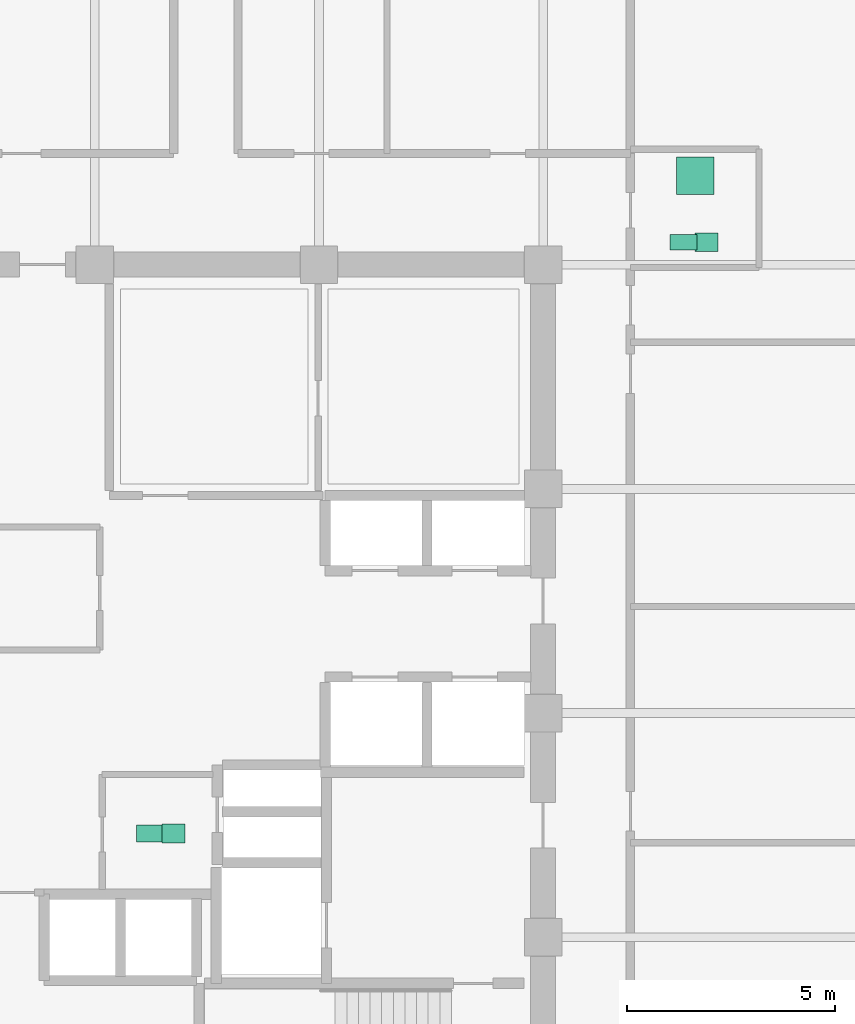
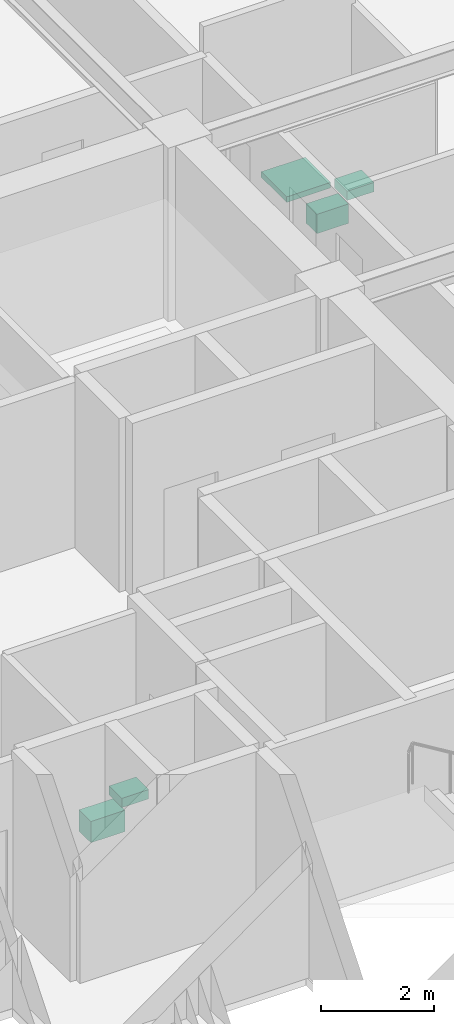
# One storey, part 30 of 30: 5 sanitary terminals.
"""IFC4 building model written with IfcOpenShell, lengths in metres."""

from ifc_helpers import new_model, si_unit, direction, frame, origin, origin_2d, place, context, subcontext, project, spatial, rectangle, extrude, material, type_object, element, save


model = new_model("IFC4")

# Units and contexts
model_context = context("Model", 3, precision=1e-05, world=origin(), true_north=direction((0.0, 1.0)))
body_context = subcontext(model_context, "Body", "Model", "MODEL_VIEW")
ifc_project = project(units=[si_unit("LENGTHUNIT", "METRE"), si_unit("AREAUNIT", "SQUARE_METRE"), si_unit("VOLUMEUNIT", "CUBIC_METRE"), si_unit("PLANEANGLEUNIT", "RADIAN"), si_unit("MASSUNIT", "GRAM", prefix="KILO")], contexts=[model_context])

# Site, building, storey
site_placement = place(None, origin())
site = spatial("IfcSite", under=ifc_project, at=site_placement, CompositionType="ELEMENT")
building_placement = place(site_placement, origin())
building = spatial("IfcBuilding", under=site, at=building_placement, Name="Surkhivell Harbour Commons", CompositionType="ELEMENT")
storey_placement = place(building_placement, frame((0.0, 0.0, 227.25)))
storey = spatial("IfcBuildingStorey", under=building, at=storey_placement, Name="L59", CompositionType="ELEMENT", Elevation=227.25)

# Sanitary terminals
ifc_material_1 = material(Name="Vitreous china washbasin", Category="other")
sanitary_terminal_type_1 = type_object("IfcSanitaryTerminalType", Name="SAN-BSN", PredefinedType="WASHHANDBASIN", material=ifc_material_1)
for number, where, z_axis, x_axis, name in (
    (1, (1.89990234375, -2.89990234375, 0.72021484375), (0.0, 0.0, 1.0), (1.0, 0.0, 0.0), "L59 Core Accessible WC Washbasin"),
    (2, (14.72998046875, 11.340087890625, 0.72021484375), (0.0, 0.0, 1.0), (1.0, 0.0, 0.0), "L59 East Communal Bathroom WC Washbasin"),
):
    element("IfcSanitaryTerminal", number, at=place(storey_placement, frame(where, z_axis=z_axis, x_axis=x_axis)), inside=storey, type_object=sanitary_terminal_type_1, Name=name, PredefinedType="WASHHANDBASIN", context=body_context, shape_type="SweptSolid", body=[
        extrude(rectangle(XDim=0.550048828125, YDim=0.449951171875, at=origin_2d()), origin(), (0.0, 0.0, 1.0), 0.199951171875),
    ])
ifc_material_2 = material(Name="Glazed porcelain shower tray", Category="other")
sanitary_terminal_type_2 = type_object("IfcSanitaryTerminalType", Name="SAN-SHW", PredefinedType="SHOWER", material=ifc_material_2)
sanitary_terminal_1_placement = place(storey_placement, frame((14.4599609375, 12.93994140625, 0.0), z_axis=(0.0, 0.0, 1.0), x_axis=(1.0, 0.0, 0.0)))
element("IfcSanitaryTerminal", 3, at=sanitary_terminal_1_placement, inside=storey, type_object=sanitary_terminal_type_2, Name="L59 East Communal Shower Tray", PredefinedType="SHOWER", context=body_context, shape_type="SweptSolid", body=[
    extrude(rectangle(XDim=0.89990234375, YDim=0.89990234375, at=origin_2d()), origin(), (0.0, 0.0, 1.0), 0.1201171875),
])
ifc_material_3 = material(Name="Vitreous china sanitaryware", Category="other")
sanitary_terminal_type_3 = type_object("IfcSanitaryTerminalType", Name="SAN-WC-ACC", PredefinedType="TOILETPAN", material=ifc_material_3)
sanitary_terminal_2_placement = place(storey_placement, frame((1.35009765625, -2.89990234375, 0.169921875), z_axis=(0.0, 0.0, 1.0), x_axis=(1.0, 0.0, 0.0)))
element("IfcSanitaryTerminal", 4, at=sanitary_terminal_2_placement, inside=storey, type_object=sanitary_terminal_type_3, Name="L59 Core Accessible WC", PredefinedType="TOILETPAN", context=body_context, shape_type="SweptSolid", body=[
    extrude(rectangle(XDim=0.699951171875, YDim=0.419921875, at=origin_2d()), origin(), (0.0, 0.0, 1.0), 0.4599609375),
])
sanitary_terminal_type_4 = type_object("IfcSanitaryTerminalType", Name="SAN-WC-STD", PredefinedType="TOILETPAN", material=ifc_material_3)
sanitary_terminal_3_placement = place(storey_placement, frame((14.179931640625, 11.340087890625, 0.18994140625), z_axis=(0.0, 0.0, 1.0), x_axis=(1.0, 0.0, 0.0)))
element("IfcSanitaryTerminal", 5, at=sanitary_terminal_3_placement, inside=storey, type_object=sanitary_terminal_type_4, Name="L59 East Communal Bathroom WC", PredefinedType="TOILETPAN", context=body_context, shape_type="SweptSolid", body=[
    extrude(rectangle(XDim=0.64990234375, YDim=0.3798828125, at=origin_2d()), origin(), (0.0, 0.0, 1.0), 0.419921875),
])

save(model, "model.ifc")
